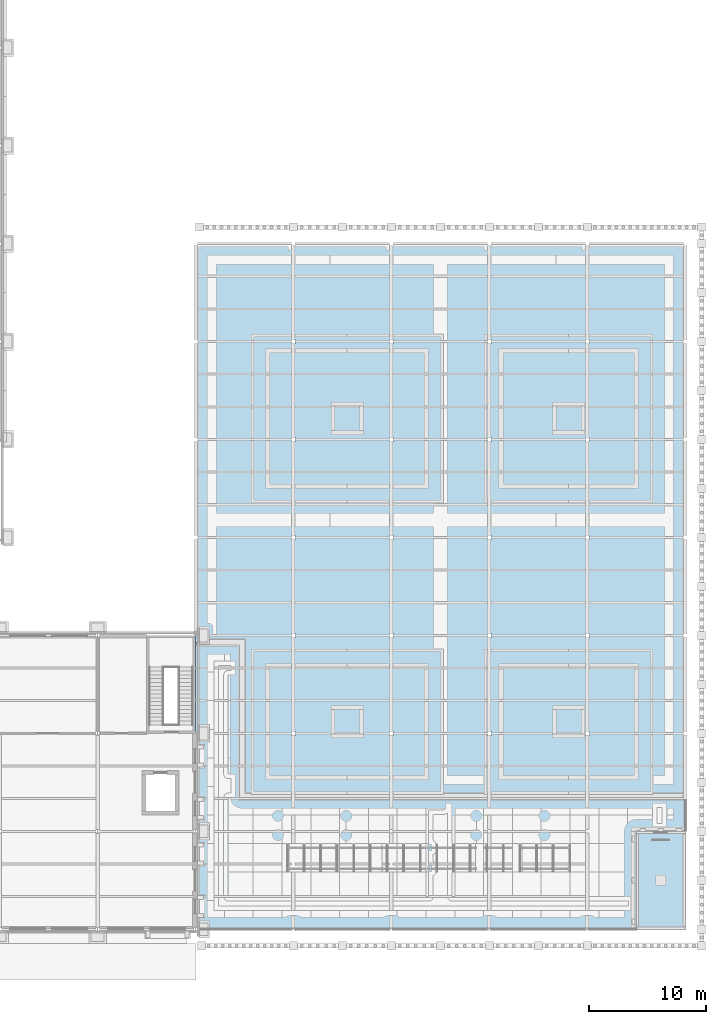
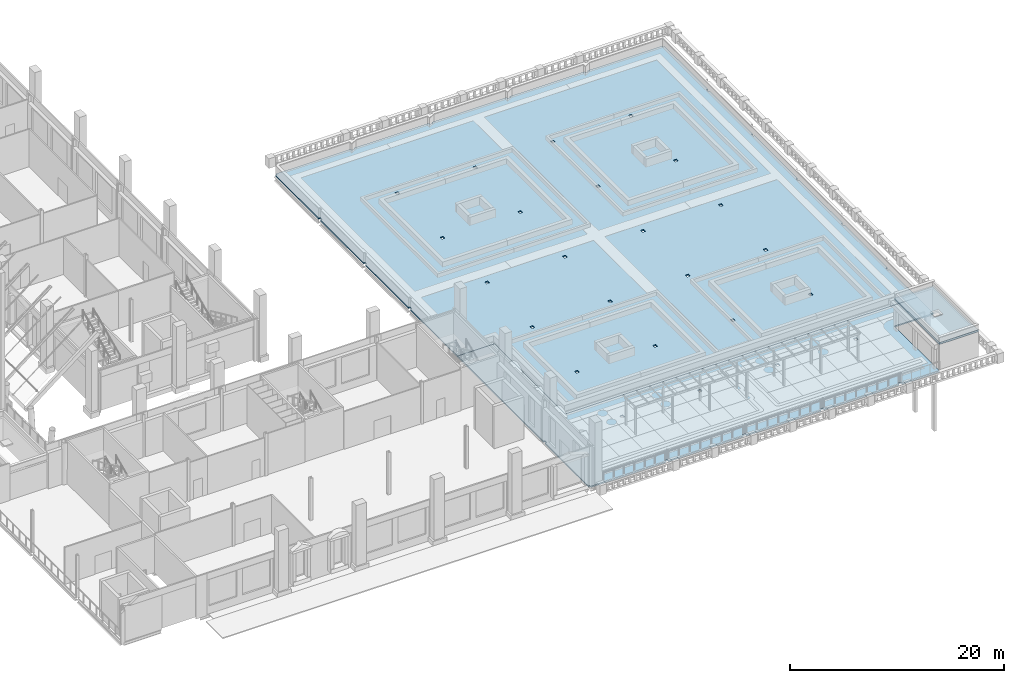
# One storey, part 46 of 76: 3 slabs.
"""IFC4 building model written with IfcOpenShell, lengths in metres."""

from ifc_helpers import new_model, si_unit, direction, frame, origin, place, context, subcontext, project, spatial, polyline, outline, extrude, material, layer, layer_set, type_object, element, save


model = new_model("IFC4")

# Units and contexts
model_context = context("Model", 3, precision=1e-05, world=origin(), true_north=direction((0.0, 1.0)))
body_context = subcontext(model_context, "Body", "Model", "MODEL_VIEW")
ifc_project = project(units=[si_unit("LENGTHUNIT", "METRE"), si_unit("AREAUNIT", "SQUARE_METRE"), si_unit("VOLUMEUNIT", "CUBIC_METRE"), si_unit("PLANEANGLEUNIT", "RADIAN"), si_unit("MASSUNIT", "GRAM", prefix="KILO")], contexts=[model_context])

# Site, building, storey
site_placement = place(None, origin())
site = spatial("IfcSite", under=ifc_project, at=site_placement, CompositionType="ELEMENT")
building_placement = place(site_placement, origin())
building = spatial("IfcBuilding", under=site, at=building_placement, Name="Sava Quay Ferry Terminal", CompositionType="ELEMENT")
storey_placement = place(building_placement, frame((0.0, 0.0, 6.0)))
storey = spatial("IfcBuildingStorey", under=building, at=storey_placement, Name="L01", CompositionType="ELEMENT", Elevation=6.0)

# Slabs
ifc_material_1 = material(Name="Concrete C30/37", Category="concrete")
ifc_layer_1 = layer(ifc_material_1, 0.14990234375)
ifc_layer_set_1 = layer_set([ifc_layer_1], Name="Concrete C30/37")
slab_type_1 = type_object("IfcSlabType", Name="Composite terrace slab 150", PredefinedType="ROOF", material=ifc_layer_set_1)
slab_1_placement = place(storey_placement, frame((0.0, 0.0, -0.14990234375)))
element("IfcSlab", 1, at=slab_1_placement, inside=storey, type_object=slab_type_1, Name="TV terrace slab L01", PredefinedType="ROOF", context=body_context, shape_type="SweptSolid", body=[
    extrude(outline(polyline([(159.760009765625, 25.199951171875), (159.760009765625, 25.3701171875), (159.43994140625, 25.3701171875), (159.43994140625, 25.199951171875), (151.360107421875, 25.199951171875), (151.360107421875, 25.3701171875), (151.0400390625, 25.3701171875), (151.0400390625, 25.199951171875), (142.9599609375, 25.199951171875), (142.9599609375, 25.3701171875), (142.639892578125, 25.3701171875), (142.639892578125, 25.199951171875), (134.56005859375, 25.199951171875), (134.56005859375, 25.3701171875), (134.239990234375, 25.3701171875), (134.239990234375, 25.199951171875), (126.159912109375, 25.199951171875), (126.159912109375, 25.3701171875), (126.0, 25.3701171875), (126.0, 33.429931640625), (126.159912109375, 33.429931640625), (126.159912109375, 33.77001953125), (126.0, 33.77001953125), (126.0, 36.60009765625), (126.0, 42.0), (126.0, 49.800048828125), (130.0, 49.800048828125), (130.0, 36.60009765625), (168.0, 36.60009765625), (168.0, 33.60009765625), (163.800048828125, 33.60009765625), (163.800048828125, 25.199951171875), (159.760009765625, 25.199951171875)]), holes=[polyline([(134.239990234375, 33.77001953125), (134.239990234375, 33.429931640625), (134.56005859375, 33.429931640625), (134.56005859375, 33.77001953125), (134.239990234375, 33.77001953125)]), polyline([(142.639892578125, 33.77001953125), (142.639892578125, 33.429931640625), (142.9599609375, 33.429931640625), (142.9599609375, 33.77001953125), (142.639892578125, 33.77001953125)]), polyline([(159.760009765625, 33.77001953125), (159.43994140625, 33.77001953125), (159.43994140625, 33.429931640625), (159.760009765625, 33.429931640625), (159.760009765625, 33.77001953125)]), polyline([(151.360107421875, 33.77001953125), (151.0400390625, 33.77001953125), (151.0400390625, 33.429931640625), (151.360107421875, 33.429931640625), (151.360107421875, 33.77001953125)])]), origin(), (0.0, 0.0, 1.0), 0.14990234375),
])
slab_2_placement = place(storey_placement, frame((0.0, 0.0, -0.14990234375)))
element("IfcSlab", 2, at=slab_2_placement, inside=storey, type_object=slab_type_1, Name="TG terrace slab L01 - extensive green roof (maintenance access only)", PredefinedType="ROOF", context=body_context, shape_type="SweptSolid", body=[
    extrude(outline(polyline([(134.239990234375, 84.0), (134.239990234375, 83.830078125), (134.56005859375, 83.830078125), (134.56005859375, 84.0), (142.639892578125, 84.0), (142.639892578125, 83.830078125), (142.9599609375, 83.830078125), (142.9599609375, 84.0), (151.0400390625, 84.0), (151.0400390625, 83.830078125), (151.360107421875, 83.830078125), (151.360107421875, 84.0), (159.43994140625, 84.0), (159.43994140625, 83.830078125), (159.760009765625, 83.830078125), (159.760009765625, 84.0), (167.840087890625, 84.0), (167.840087890625, 83.830078125), (168.0, 83.830078125), (168.0, 75.77001953125), (167.840087890625, 75.77001953125), (167.840087890625, 75.429931640625), (168.0, 75.429931640625), (168.0, 67.3701171875), (167.840087890625, 67.3701171875), (167.840087890625, 67.030029296875), (168.0, 67.030029296875), (168.0, 58.969970703125), (167.840087890625, 58.969970703125), (167.840087890625, 58.6298828125), (168.0, 58.6298828125), (168.0, 50.570068359375), (167.840087890625, 50.570068359375), (167.840087890625, 50.22998046875), (168.0, 50.22998046875), (168.0, 42.169921875), (167.840087890625, 42.169921875), (167.840087890625, 41.830078125), (168.0, 41.830078125), (168.0, 36.60009765625), (130.0, 36.60009765625), (130.0, 49.800048828125), (126.0, 49.800048828125), (126.0, 50.39990234375), (126.0, 58.6298828125), (126.159912109375, 58.6298828125), (126.159912109375, 58.969970703125), (126.0, 58.969970703125), (126.0, 67.030029296875), (126.159912109375, 67.030029296875), (126.159912109375, 67.3701171875), (126.0, 67.3701171875), (126.0, 75.429931640625), (126.159912109375, 75.429931640625), (126.159912109375, 75.77001953125), (126.0, 75.77001953125), (126.0, 83.830078125), (126.159912109375, 83.830078125), (126.159912109375, 84.0), (134.239990234375, 84.0)]), holes=[polyline([(134.239990234375, 42.169921875), (134.239990234375, 41.830078125), (134.56005859375, 41.830078125), (134.56005859375, 42.169921875), (134.239990234375, 42.169921875)]), polyline([(134.239990234375, 50.570068359375), (134.239990234375, 50.22998046875), (134.56005859375, 50.22998046875), (134.56005859375, 50.570068359375), (134.239990234375, 50.570068359375)]), polyline([(134.56005859375, 58.969970703125), (134.239990234375, 58.969970703125), (134.239990234375, 58.6298828125), (134.56005859375, 58.6298828125), (134.56005859375, 58.969970703125)]), polyline([(134.239990234375, 67.3701171875), (134.239990234375, 67.030029296875), (134.56005859375, 67.030029296875), (134.56005859375, 67.3701171875), (134.239990234375, 67.3701171875)]), polyline([(134.56005859375, 75.77001953125), (134.239990234375, 75.77001953125), (134.239990234375, 75.429931640625), (134.56005859375, 75.429931640625), (134.56005859375, 75.77001953125)]), polyline([(151.0400390625, 42.169921875), (151.0400390625, 41.830078125), (151.360107421875, 41.830078125), (151.360107421875, 42.169921875), (151.0400390625, 42.169921875)]), polyline([(142.9599609375, 42.169921875), (142.639892578125, 42.169921875), (142.639892578125, 41.830078125), (142.9599609375, 41.830078125), (142.9599609375, 42.169921875)]), polyline([(159.43994140625, 42.169921875), (159.43994140625, 41.830078125), (159.760009765625, 41.830078125), (159.760009765625, 42.169921875), (159.43994140625, 42.169921875)]), polyline([(142.639892578125, 50.570068359375), (142.639892578125, 50.22998046875), (142.9599609375, 50.22998046875), (142.9599609375, 50.570068359375), (142.639892578125, 50.570068359375)]), polyline([(159.760009765625, 50.570068359375), (159.43994140625, 50.570068359375), (159.43994140625, 50.22998046875), (159.760009765625, 50.22998046875), (159.760009765625, 50.570068359375)]), polyline([(151.360107421875, 50.570068359375), (151.0400390625, 50.570068359375), (151.0400390625, 50.22998046875), (151.360107421875, 50.22998046875), (151.360107421875, 50.570068359375)]), polyline([(151.0400390625, 58.969970703125), (151.0400390625, 58.6298828125), (151.360107421875, 58.6298828125), (151.360107421875, 58.969970703125), (151.0400390625, 58.969970703125)]), polyline([(159.43994140625, 58.969970703125), (159.43994140625, 58.6298828125), (159.760009765625, 58.6298828125), (159.760009765625, 58.969970703125), (159.43994140625, 58.969970703125)]), polyline([(142.9599609375, 58.969970703125), (142.639892578125, 58.969970703125), (142.639892578125, 58.6298828125), (142.9599609375, 58.6298828125), (142.9599609375, 58.969970703125)]), polyline([(151.360107421875, 67.3701171875), (151.0400390625, 67.3701171875), (151.0400390625, 67.030029296875), (151.360107421875, 67.030029296875), (151.360107421875, 67.3701171875)]), polyline([(159.43994140625, 67.3701171875), (159.43994140625, 67.030029296875), (159.760009765625, 67.030029296875), (159.760009765625, 67.3701171875), (159.43994140625, 67.3701171875)]), polyline([(142.639892578125, 67.3701171875), (142.639892578125, 67.030029296875), (142.9599609375, 67.030029296875), (142.9599609375, 67.3701171875), (142.639892578125, 67.3701171875)]), polyline([(142.9599609375, 75.77001953125), (142.639892578125, 75.77001953125), (142.639892578125, 75.429931640625), (142.9599609375, 75.429931640625), (142.9599609375, 75.77001953125)]), polyline([(151.360107421875, 75.77001953125), (151.0400390625, 75.77001953125), (151.0400390625, 75.429931640625), (151.360107421875, 75.429931640625), (151.360107421875, 75.77001953125)]), polyline([(159.43994140625, 75.77001953125), (159.43994140625, 75.429931640625), (159.760009765625, 75.429931640625), (159.760009765625, 75.77001953125), (159.43994140625, 75.77001953125)])]), origin(), (0.0, 0.0, 1.0), 0.14990234375),
])
ifc_material_2 = material(Name="Concrete C35/45", Category="concrete")
ifc_layer_2 = layer(ifc_material_2, 0.199951171875)
ifc_layer_set_2 = layer_set([ifc_layer_2], Name="Concrete C35/45")
slab_type_2 = type_object("IfcSlabType", Name="RC core roof slab 200", PredefinedType="ROOF", material=ifc_layer_set_2)
slab_3_placement = place(storey_placement, frame((0.0, 0.0, 3.0)))
element("IfcSlab", 3, at=slab_3_placement, inside=storey, type_object=slab_type_2, Name="Core roof slab ST-V1", PredefinedType="ROOF", context=body_context, shape_type="SweptSolid", body=[
    extrude(outline(polyline([(163.800048828125, 25.199951171875), (168.0, 25.199951171875), (168.0, 33.60009765625), (163.800048828125, 33.60009765625), (163.800048828125, 25.199951171875)]), holes=[polyline([(165.550048828125, 29.050048828125), (166.25, 29.050048828125), (166.25, 29.75), (165.550048828125, 29.75), (165.550048828125, 29.050048828125)])]), origin(), (0.0, 0.0, 1.0), 0.199951171875),
])

save(model, "model.ifc")
